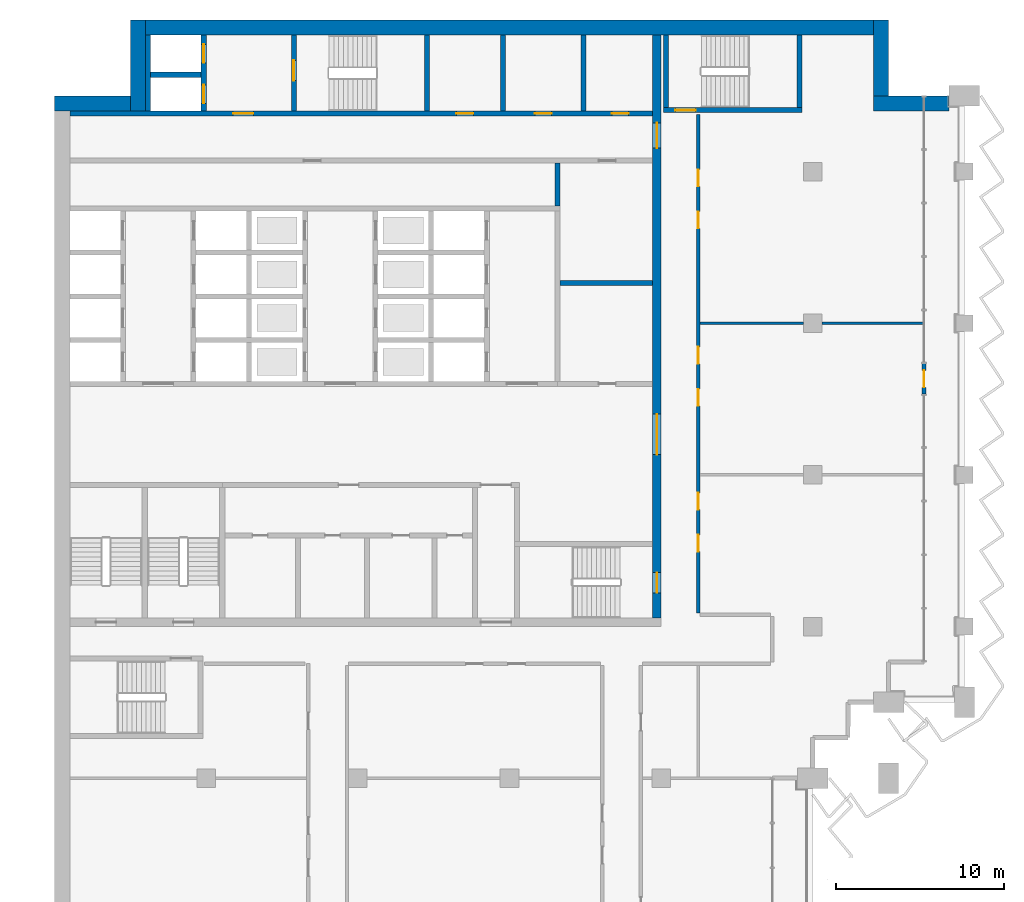
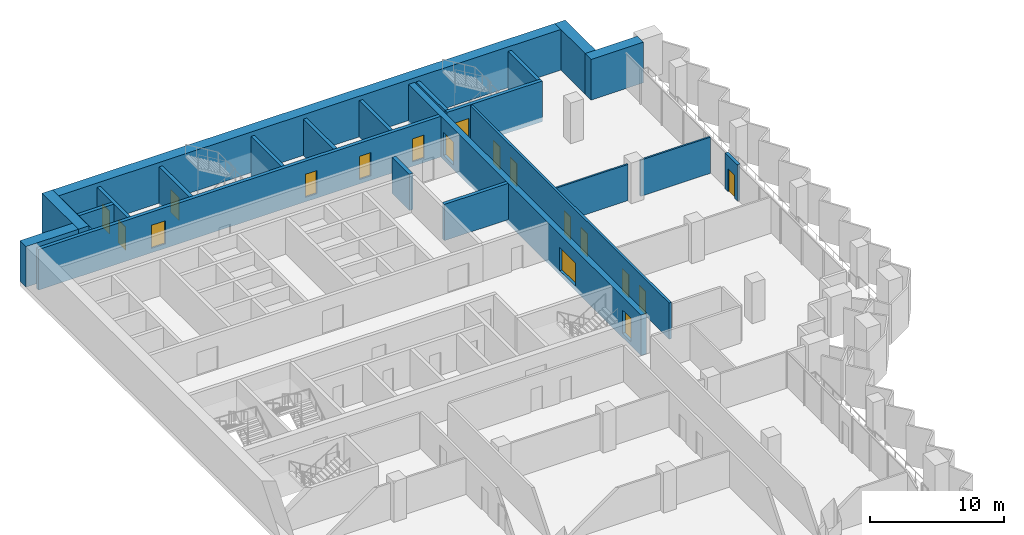
# One storey, part 10 of 18: 23 walls, 18 doors, 18 openings.
"""IFC4 building model written with IfcOpenShell, lengths in metres."""

import ifcopenshell
import ifcopenshell.guid

model = None  # the IFC model being written
_history = None  # IfcOwnerHistory: only IFC2X3 demands one
_inside = {}  # id of a spatial element -> (the spatial element, [elements in it])
_under = {}  # id of a project, library or spatial element -> (it, [spatial elements below it])
_declared = {}  # id of a project -> (the project, [libraries it declares])
_typed = {}  # id of a type object -> (the type object, [elements of that type])
_made_of = {}  # id of a material, layer set ... -> (it, [elements and type objects made of it])


def new_model(schema):
    """Start an empty IFC model of exactly this schema.

    Asked for "IFC4X3", IfcOpenShell would pick the latest addendum, in which some entities
    have other attributes; the version numbers below select the first issue.
    IFC2X3 requires an IfcOwnerHistory on every rooted entity: one is made here for all.
    """
    global model, _history
    if schema == "IFC4X3":
        model = ifcopenshell.file(schema_version=(4, 3, 0, 0))
    else:
        model = ifcopenshell.file(schema=schema)
    _inside.clear()
    _under.clear()
    _declared.clear()
    _typed.clear()
    _made_of.clear()
    _history = None
    if model.schema == "IFC2X3":
        org = make("IfcOrganization", Name="unknown")
        user = make(
            "IfcPersonAndOrganization",
            ThePerson=make("IfcPerson", FamilyName="unknown"),
            TheOrganization=org,
        )
        app = make(
            "IfcApplication",
            ApplicationDeveloper=org,
            Version="unknown",
            ApplicationFullName="unknown",
            ApplicationIdentifier="unknown",
        )
        _history = make(
            "IfcOwnerHistory",
            OwningUser=user,
            OwningApplication=app,
            ChangeAction="ADDED",
            CreationDate=0,
        )
    return model


def make(cls, **values):
    """One entity of the class cls with the attributes given. An attribute that is None is left unset."""
    return model.create_entity(
        cls, **{name: value for name, value in values.items() if value is not None}
    )


def rooted(cls, **values):
    """An entity with a GlobalId (a new one), such as an element, a storey or a relation."""
    return make(cls, GlobalId=ifcopenshell.guid.new(), OwnerHistory=_history, **values)


def si_unit(unit_type, name, prefix=None):
    """IfcSIUnit, for example si_unit("LENGTHUNIT", "METRE", prefix="MILLI")."""
    return make("IfcSIUnit", UnitType=unit_type, Prefix=prefix, Name=name)


def assignment(units):
    """IfcUnitAssignment: the units of a project."""
    return None if units is None else make("IfcUnitAssignment", Units=units)


def point(xyz):
    """IfcCartesianPoint."""
    return None if xyz is None else make("IfcCartesianPoint", Coordinates=xyz)


def direction(xyz):
    """IfcDirection."""
    return None if xyz is None else make("IfcDirection", DirectionRatios=xyz)


def frame(location, z_axis=None, x_axis=None):
    """IfcAxis2Placement3D, a coordinate frame: its origin and axes. An axis left out is left unset."""
    return make(
        "IfcAxis2Placement3D",
        Location=point(location),
        Axis=direction(z_axis),
        RefDirection=direction(x_axis),
    )


def frame_2d(location, x_axis=None):
    """IfcAxis2Placement2D, a coordinate frame in the plane: its origin and x axis."""
    return make(
        "IfcAxis2Placement2D", Location=point(location), RefDirection=direction(x_axis)
    )


def origin():
    """The frame at (0, 0, 0) with its axes left unset."""
    return frame((0.0, 0.0, 0.0))


def place(relative_to, where):
    """IfcLocalPlacement: puts the frame where relative to a parent placement (None: the world)."""
    return make(
        "IfcLocalPlacement", PlacementRelTo=relative_to, RelativePlacement=where
    )


def context(
    kind, dimensions, precision=None, world=None, true_north=None, identifier=None
):
    """IfcGeometricRepresentationContext, for example the 3D "Model" context."""
    return make(
        "IfcGeometricRepresentationContext",
        ContextIdentifier=identifier,
        ContextType=kind,
        CoordinateSpaceDimension=dimensions,
        Precision=precision,
        WorldCoordinateSystem=world,
        TrueNorth=true_north,
    )


def subcontext(parent, identifier, kind, view, scale=None):
    """IfcGeometricRepresentationSubContext, for example "Body" below "Model"."""
    return make(
        "IfcGeometricRepresentationSubContext",
        ContextIdentifier=identifier,
        ContextType=kind,
        ParentContext=parent,
        TargetScale=scale,
        TargetView=view,
    )


def project(units=None, contexts=None):
    """IfcProject with its units and contexts."""
    return rooted(
        "IfcProject",
        Name="project",
        RepresentationContexts=contexts,
        UnitsInContext=assignment(units),
    )


def spatial(cls, under=None, at=None, **own):
    """A site, building, storey or space (cls), placed at a placement, below another one or the project."""
    s = rooted(cls, ObjectPlacement=at, **own)
    if under is not None:
        _under.setdefault(under.id(), (under, []))[1].append(s)
    return s


def profile(cls, at=None, kind="AREA", **sizes):
    """A parametric profile (cls). Its sizes go by their IFC names, for example OverallWidth=200.0."""
    return make(cls, ProfileType=kind, Position=at, **sizes)


def rectangle(**sizes):
    """IfcRectangleProfileDef."""
    return profile("IfcRectangleProfileDef", **sizes)


def extrude(swept, where, along, depth):
    """IfcExtrudedAreaSolid: the profile swept, set in the frame where, extruded along a direction by depth."""
    return make(
        "IfcExtrudedAreaSolid",
        SweptArea=swept,
        Position=where,
        ExtrudedDirection=direction(along),
        Depth=depth,
    )


def shape(context_of_items, identifier, shape_type, items):
    """IfcShapeRepresentation: the items that make up one representation, for example the "Body"."""
    return make(
        "IfcShapeRepresentation",
        ContextOfItems=context_of_items,
        RepresentationIdentifier=identifier,
        RepresentationType=shape_type,
        Items=items,
    )


def material(Name=None, Category=None):
    """IfcMaterial."""
    return make("IfcMaterial", Name=Name, Category=Category)


def layer(
    of_material, thickness, ventilated=None, Name=None, Category=None, Priority=None
):
    """IfcMaterialLayer: one layer of a wall or slab, of a material (None: an air gap)."""
    return make(
        "IfcMaterialLayer",
        Material=of_material,
        LayerThickness=thickness,
        IsVentilated=ventilated,
        Name=Name,
        Category=Category,
        Priority=Priority,
    )


def layer_set(layers, Name=None):
    """IfcMaterialLayerSet."""
    return make("IfcMaterialLayerSet", MaterialLayers=layers, LayerSetName=Name)


def made_of(thing, what):
    """Note that an element or type object is made of a material, layer set ...; save() writes the relation."""
    if what is not None:
        _made_of.setdefault(what.id(), (what, []))[1].append(thing)
    return thing


def type_object(cls, material=None, **own):
    """A type object (cls), such as IfcWallType, which elements share."""
    return made_of(rooted(cls, **own), material)


def element(
    cls,
    number,
    at=None,
    inside=None,
    cuts=None,
    type_object=None,
    material=None,
    context=None,
    identifier="Body",
    shape_type=None,
    held_by="IfcProductDefinitionShape",
    body=None,
    shapes=None,
    **own,
):
    """One element of the class cls, such as IfcWall. Its Tag is "e" and its number.

    at: its placement. inside: the storey or other place that contains it. cuts: it is an
    opening in that element (IfcRelVoidsElement). A single representation is given by context,
    identifier, shape_type and body (its items); several are given by shapes. held_by: the class
    of the entity that holds the representations. save() writes the other relations.
    """
    e = rooted(cls, Tag="e%d" % number, ObjectPlacement=at, **own)
    if body is not None:
        shapes = [shape(context, identifier, shape_type, body)]
    if shapes is not None:
        e.Representation = make(held_by, Representations=shapes)
    if inside is not None:
        _inside.setdefault(inside.id(), (inside, []))[1].append(e)
    if cuts is not None:
        rooted(
            "IfcRelVoidsElement", RelatingBuildingElement=cuts, RelatedOpeningElement=e
        )
    if type_object is not None:
        _typed.setdefault(type_object.id(), (type_object, []))[1].append(e)
    return made_of(e, material)


def fill(opening, filler):
    """IfcRelFillsElement: the door or window that sits in an opening."""
    return rooted(
        "IfcRelFillsElement",
        RelatingOpeningElement=opening,
        RelatedBuildingElement=filler,
    )


def aggregate(whole, parts):
    """IfcRelAggregates: a whole, such as a stair, and the parts it consists of."""
    return rooted("IfcRelAggregates", RelatingObject=whole, RelatedObjects=parts)


def save(model, path):
    """Write the relations noted so far, then the file.

    IfcRelAggregates (storeys below a building ...), IfcRelContainedInSpatialStructure (elements
    in a storey), IfcRelDefinesByType, IfcRelAssociatesMaterial and IfcRelDeclares: one each for
    every whole, place, type object, material and project.
    """
    for whole, parts in _under.values():
        aggregate(whole, parts)
    for where, things in _inside.values():
        rooted(
            "IfcRelContainedInSpatialStructure",
            RelatedElements=things,
            RelatingStructure=where,
        )
    for kind, things in _typed.values():
        rooted("IfcRelDefinesByType", RelatedObjects=things, RelatingType=kind)
    for what, things in _made_of.values():
        rooted("IfcRelAssociatesMaterial", RelatedObjects=things, RelatingMaterial=what)
    for by, libraries in _declared.values():
        rooted("IfcRelDeclares", RelatingContext=by, RelatedDefinitions=libraries)
    model.write(path)


model = new_model("IFC4")

# Units and contexts
model_context = context("Model", 3, precision=1e-05, world=origin(), true_north=direction((0.0, 1.0)))
body_context = subcontext(model_context, "Body", "Model", "MODEL_VIEW")
ifc_project = project(units=[si_unit("LENGTHUNIT", "METRE"), si_unit("AREAUNIT", "SQUARE_METRE"), si_unit("VOLUMEUNIT", "CUBIC_METRE"), si_unit("PLANEANGLEUNIT", "RADIAN"), si_unit("MASSUNIT", "GRAM", prefix="KILO")], contexts=[model_context])

# Site, building, storey
site_placement = place(None, origin())
site = spatial("IfcSite", under=ifc_project, at=site_placement, CompositionType="ELEMENT")
building_placement = place(site_placement, origin())
building = spatial("IfcBuilding", under=site, at=building_placement, Name="Hunhe Ridgeline Campus", CompositionType="ELEMENT")
storey_placement = place(building_placement, frame((0.0, 0.0, 182.800048828125)))
storey = spatial("IfcBuildingStorey", under=building, at=storey_placement, Name="L46", CompositionType="ELEMENT", Elevation=182.800048828125)

# Walls
ifc_material_1 = material(Name="Masonry concrete blockwork", Category="masonry")
ifc_layer_1 = layer(ifc_material_1, 0.300048828125)
ifc_layer_set_1 = layer_set([ifc_layer_1], Name="Core room partition 300 concrete block")
wall_type_1 = type_object("IfcWallType", Name="Core room partition 300 concrete block", PredefinedType="PARTITIONING", material=ifc_layer_set_1)
wall_1_placement = place(storey_placement, frame((30.0, 83.39990234375, 0.0), z_axis=(0.0, 0.0, 1.0), x_axis=(1.0, 0.0, 0.0)))
element("IfcWall", 1, at=wall_1_placement, inside=storey, type_object=wall_type_1, Name="L46 core partition 20", PredefinedType="PARTITIONING", context=body_context, shape_type="SweptSolid", body=[
    extrude(rectangle(XDim=5.5, YDim=0.300048828125, at=frame_2d((2.75, 0.0))), origin(), (0.0, 0.0, 1.0), 3.300048828125),
])
wall_2_placement = place(storey_placement, frame((26.60009765625, 93.60009765625, 0.0), z_axis=(0.0, 0.0, 1.0), x_axis=(0.0, 1.0, 0.0)))
element("IfcWall", 2, at=wall_2_placement, inside=storey, type_object=wall_type_1, Name="L46 core partition 50", PredefinedType="PARTITIONING", context=body_context, shape_type="SweptSolid", body=[
    extrude(rectangle(XDim=4.5, YDim=0.300048828125, at=frame_2d((2.25, 0.0))), origin(), (0.0, 0.0, 1.0), 3.300048828125),
])
wall_3_placement = place(storey_placement, frame((29.85009765625, 87.949951171875, 0.0), z_axis=(0.0, 0.0, 1.0), x_axis=(0.0, 1.0, 0.0)))
element("IfcWall", 3, at=wall_3_placement, inside=storey, type_object=wall_type_1, Name="L46 core partition 54", PredefinedType="PARTITIONING", context=body_context, shape_type="SweptSolid", body=[
    extrude(rectangle(XDim=2.550048828125, YDim=0.300048828125, at=frame_2d((1.27490234375, 0.0))), origin(), (0.0, 0.0, 1.0), 3.300048828125),
])
wall_4_placement = place(storey_placement, frame((31.39990234375, 93.60009765625, 0.0), z_axis=(0.0, 0.0, 1.0), x_axis=(0.0, 1.0, 0.0)))
element("IfcWall", 4, at=wall_4_placement, inside=storey, type_object=wall_type_1, Name="L46 core partition 55", PredefinedType="PARTITIONING", context=body_context, shape_type="SweptSolid", body=[
    extrude(rectangle(XDim=4.5, YDim=0.300048828125, at=frame_2d((2.25, 0.0))), origin(), (0.0, 0.0, 1.0), 3.300048828125),
])

# Wall, openings, doors
ifc_material_2 = material(Name="Concrete C60", Category="concrete")
ifc_layer_2 = layer(ifc_material_2, 0.5)
ifc_layer_set_2 = layer_set([ifc_layer_2], Name="Core wall 500 reinforced concrete C60")
wall_type_2 = type_object("IfcWallType", Name="Core wall 500 reinforced concrete C60", PredefinedType="SOLIDWALL", material=ifc_layer_set_2)
wall_5_placement = place(storey_placement, frame((35.75, 63.5, -0.400146484375), z_axis=(0.0, 0.0, 1.0), x_axis=(0.0, 1.0, 0.0)))
wall_5 = element("IfcWall", 5, at=wall_5_placement, inside=storey, type_object=wall_type_2, Name="L46 core wall 56", PredefinedType="SOLIDWALL", context=body_context, shape_type="SweptSolid", body=[
    extrude(rectangle(XDim=34.60009765625, YDim=0.5, at=frame_2d((17.300048828125, 0.0))), origin(), (0.0, 0.0, 1.0), 3.7001953125),
])
opening_1_placement = place(wall_5_placement, frame((9.699951171875, 0.0, 0.39990234375)))
opening_1 = element("IfcOpeningElement", 6, at=opening_1_placement, cuts=wall_5, Name="Opening CD4", PredefinedType="OPENING", context=body_context, shape_type="SweptSolid", body=[
    extrude(rectangle(XDim=2.39990234375, YDim=2.10009765625, at=frame_2d((1.199951171875, 1.050048828125))), frame((0.0, 0.25, 0.0), z_axis=(0.0, -1.0, 0.0), x_axis=(1.0, 0.0, 0.0)), (0.0, 0.0, 1.0), 0.5),
])
opening_2_placement = place(wall_5_placement, frame((27.89990234375, 0.0, 0.39990234375)))
opening_2 = element("IfcOpeningElement", 7, at=opening_2_placement, cuts=wall_5, Name="Opening CD5", PredefinedType="OPENING", context=body_context, shape_type="SweptSolid", body=[
    extrude(rectangle(XDim=1.5, YDim=2.10009765625, at=frame_2d((0.75, 1.050048828125))), frame((0.0, 0.25, 0.0), z_axis=(0.0, -1.0, 0.0), x_axis=(1.0, 0.0, 0.0)), (0.0, 0.0, 1.0), 0.5),
])
opening_3_placement = place(wall_5_placement, frame((1.5, 0.0, 0.39990234375)))
opening_3 = element("IfcOpeningElement", 8, at=opening_3_placement, cuts=wall_5, Name="Opening CD15", PredefinedType="OPENING", context=body_context, shape_type="SweptSolid", body=[
    extrude(rectangle(XDim=1.199951171875, YDim=2.10009765625, at=frame_2d((0.60009765625, 1.050048828125))), frame((0.0, 0.25, 0.0), z_axis=(0.0, -1.0, 0.0), x_axis=(1.0, 0.0, 0.0)), (0.0, 0.0, 1.0), 0.5),
])
ifc_material_3 = material(Name="Anodised aluminium and glass", Category="aluminium")
door_type_1 = type_object("IfcDoorType", Name="Glazed double door 2400x2100", OperationType="DOUBLE_DOOR_SINGLE_SWING", PredefinedType="DOOR", material=ifc_material_3)
door_1_placement = place(opening_1_placement, frame((2.39990234375, 0.0, 0.0), z_axis=(0.0, 0.0, 1.0), x_axis=(-1.0, 0.0, 0.0)))
door_1 = element("IfcDoor", 9, at=door_1_placement, inside=storey, type_object=door_type_1, Name="L46 door HALL-FLOOR", OperationType="DOUBLE_DOOR_SINGLE_SWING", OverallHeight=2.10009765625, OverallWidth=2.39990234375, PredefinedType="DOOR", context=body_context, shape_type="SweptSolid", body=[
    extrude(rectangle(XDim=2.39990234375, YDim=2.10009765625, at=frame_2d((1.199951171875, 1.050048828125))), frame((0.0, 0.02490234375, 0.0), z_axis=(0.0, -1.0, 0.0), x_axis=(1.0, 0.0, 0.0)), (0.0, 0.0, 1.0), 0.050048828125),
])
fill(opening_1, door_1)
ifc_material_4 = material(Name="Hollow metal fire door leaf")
door_type_2 = type_object("IfcDoorType", Name="Stair door 1200x2100 FD60", OperationType="SINGLE_SWING_LEFT", PredefinedType="DOOR", material=ifc_material_4)
door_2_placement = place(opening_3_placement, frame((1.199951171875, 0.0, 0.0), z_axis=(0.0, 0.0, 1.0), x_axis=(-1.0, 0.0, 0.0)))
door_2 = element("IfcDoor", 10, at=door_2_placement, inside=storey, type_object=door_type_2, Name="L46 door S2-FLOOR", OperationType="SINGLE_SWING_LEFT", OverallHeight=2.10009765625, OverallWidth=1.199951171875, PredefinedType="DOOR", context=body_context, shape_type="SweptSolid", body=[
    extrude(rectangle(XDim=1.199951171875, YDim=2.10009765625, at=frame_2d((0.60009765625, 1.050048828125))), frame((0.0, 0.02490234375, 0.0), z_axis=(0.0, -1.0, 0.0), x_axis=(1.0, 0.0, 0.0)), (0.0, 0.0, 1.0), 0.050048828125),
])
fill(opening_3, door_2)
ifc_material_5 = material(Name="Solid core timber door leaf", Category="wood")
door_type_3 = type_object("IfcDoorType", Name="Timber door 1500x2100", OperationType="SINGLE_SWING_LEFT", PredefinedType="DOOR", material=ifc_material_5)
door_3_placement = place(opening_2_placement, frame((1.5, 0.0, 0.0), z_axis=(0.0, 0.0, 1.0), x_axis=(-1.0, 0.0, 0.0)))
door_3 = element("IfcDoor", 11, at=door_3_placement, inside=storey, type_object=door_type_3, Name="L46 door C1-FLOOR", OperationType="SINGLE_SWING_LEFT", OverallHeight=2.10009765625, OverallWidth=1.5, PredefinedType="DOOR", context=body_context, shape_type="SweptSolid", body=[
    extrude(rectangle(XDim=1.5, YDim=2.10009765625, at=frame_2d((0.75, 1.050048828125))), frame((0.0, 0.02490234375, 0.0), z_axis=(0.0, -1.0, 0.0), x_axis=(1.0, 0.0, 0.0)), (0.0, 0.0, 1.0), 0.050048828125),
])
fill(opening_2, door_3)

ifc_material_6 = material(Name="Gypsum board partition")
ifc_layer_3 = layer(ifc_material_6, 0.199951171875)
ifc_layer_set_3 = layer_set([ifc_layer_3], Name="Corridor partition 200 gypsum board on steel studs")
wall_type_3 = type_object("IfcWallType", Name="Corridor partition 200 gypsum board on steel studs", PredefinedType="PARTITIONING", material=ifc_layer_set_3)
wall_6_placement = place(storey_placement, frame((38.199951171875, 93.39599609375, 0.0), z_axis=(0.0, 0.0, 1.0), x_axis=(0.0, -1.0, 0.0)))
wall_6 = element("IfcWall", 12, at=wall_6_placement, inside=storey, type_object=wall_type_3, Name="F-L46-wall-047", PredefinedType="PARTITIONING", context=body_context, shape_type="SweptSolid", body=[
    extrude(rectangle(XDim=29.595947265625, YDim=0.199951171875, at=frame_2d((14.7978515625, 0.0))), origin(), (0.0, 0.0, 1.0), 3.300048828125),
])
opening_4_placement = place(wall_6_placement, frame((24.95751953125, 0.0, 0.0)))
opening_4 = element("IfcOpeningElement", 13, at=opening_4_placement, cuts=wall_6, Name="Opening RD1-022", PredefinedType="OPENING", context=body_context, shape_type="SweptSolid", body=[
    extrude(rectangle(XDim=1.0, YDim=2.10009765625, at=frame_2d((0.5, 1.050048828125))), frame((0.0, 0.10009765625, 0.0), z_axis=(0.0, -1.0, 0.0), x_axis=(1.0, 0.0, 0.0)), (0.0, 0.0, 1.0), 0.199951171875),
])
opening_5_placement = place(wall_6_placement, frame((22.45751953125, 0.0, 0.0)))
opening_5 = element("IfcOpeningElement", 14, at=opening_5_placement, cuts=wall_6, Name="Opening RD1-023", PredefinedType="OPENING", context=body_context, shape_type="SweptSolid", body=[
    extrude(rectangle(XDim=1.0, YDim=2.10009765625, at=frame_2d((0.5, 1.050048828125))), frame((0.0, 0.10009765625, 0.0), z_axis=(0.0, -1.0, 0.0), x_axis=(1.0, 0.0, 0.0)), (0.0, 0.0, 1.0), 0.199951171875),
])
opening_6_placement = place(wall_6_placement, frame((16.304443359375, 0.0, 0.0)))
opening_6 = element("IfcOpeningElement", 15, at=opening_6_placement, cuts=wall_6, Name="Opening RD1-024", PredefinedType="OPENING", context=body_context, shape_type="SweptSolid", body=[
    extrude(rectangle(XDim=1.0, YDim=2.10009765625, at=frame_2d((0.5, 1.050048828125))), frame((0.0, 0.10009765625, 0.0), z_axis=(0.0, -1.0, 0.0), x_axis=(1.0, 0.0, 0.0)), (0.0, 0.0, 1.0), 0.199951171875),
])
opening_7_placement = place(wall_6_placement, frame((13.804443359375, 0.0, 0.0)))
opening_7 = element("IfcOpeningElement", 16, at=opening_7_placement, cuts=wall_6, Name="Opening RD1-025", PredefinedType="OPENING", context=body_context, shape_type="SweptSolid", body=[
    extrude(rectangle(XDim=1.0, YDim=2.10009765625, at=frame_2d((0.5, 1.050048828125))), frame((0.0, 0.10009765625, 0.0), z_axis=(0.0, -1.0, 0.0), x_axis=(1.0, 0.0, 0.0)), (0.0, 0.0, 1.0), 0.199951171875),
])
opening_8_placement = place(wall_6_placement, frame((5.770263671875, 0.0, 0.0)))
opening_8 = element("IfcOpeningElement", 17, at=opening_8_placement, cuts=wall_6, Name="Opening RD1-026", PredefinedType="OPENING", context=body_context, shape_type="SweptSolid", body=[
    extrude(rectangle(XDim=1.0, YDim=2.10009765625, at=frame_2d((0.5, 1.050048828125))), frame((0.0, 0.10009765625, 0.0), z_axis=(0.0, -1.0, 0.0), x_axis=(1.0, 0.0, 0.0)), (0.0, 0.0, 1.0), 0.199951171875),
])
opening_9_placement = place(wall_6_placement, frame((3.270263671875, 0.0, 0.0)))
opening_9 = element("IfcOpeningElement", 18, at=opening_9_placement, cuts=wall_6, Name="Opening RD1-027", PredefinedType="OPENING", context=body_context, shape_type="SweptSolid", body=[
    extrude(rectangle(XDim=1.0, YDim=2.10009765625, at=frame_2d((0.5, 1.050048828125))), frame((0.0, 0.10009765625, 0.0), z_axis=(0.0, -1.0, 0.0), x_axis=(1.0, 0.0, 0.0)), (0.0, 0.0, 1.0), 0.199951171875),
])
ifc_material_7 = material(Name="Timber door leaf", Category="wood")
door_type_4 = type_object("IfcDoorType", Name="Single fire door 1000x2100 timber FD60", OperationType="NOTDEFINED", PredefinedType="DOOR", material=ifc_material_7)
door_4_placement = place(opening_4_placement, frame((1.0, 0.0, 0.0), z_axis=(0.0, 0.0, 1.0), x_axis=(-1.0, 0.0, 0.0)))
door_4 = element("IfcDoor", 19, at=door_4_placement, inside=storey, type_object=door_type_4, Name="F-L46-door-022", OperationType="SINGLE_SWING_LEFT", OverallHeight=2.10009765625, OverallWidth=1.0, PredefinedType="DOOR", context=body_context, shape_type="SweptSolid", body=[
    extrude(rectangle(XDim=1.0, YDim=2.10009765625, at=frame_2d((0.5, 1.050048828125))), frame((0.0, 0.02490234375, 0.0), z_axis=(0.0, -1.0, 0.0), x_axis=(1.0, 0.0, 0.0)), (0.0, 0.0, 1.0), 0.050048828125),
])
fill(opening_4, door_4)
door_5_placement = place(opening_5_placement, frame((1.0, 0.0, 0.0), z_axis=(0.0, 0.0, 1.0), x_axis=(-1.0, 0.0, 0.0)))
door_5 = element("IfcDoor", 20, at=door_5_placement, inside=storey, type_object=door_type_4, Name="F-L46-door-023", OperationType="SINGLE_SWING_RIGHT", OverallHeight=2.10009765625, OverallWidth=1.0, PredefinedType="DOOR", context=body_context, shape_type="SweptSolid", body=[
    extrude(rectangle(XDim=1.0, YDim=2.10009765625, at=frame_2d((0.5, 1.050048828125))), frame((0.0, 0.02490234375, 0.0), z_axis=(0.0, -1.0, 0.0), x_axis=(1.0, 0.0, 0.0)), (0.0, 0.0, 1.0), 0.050048828125),
])
fill(opening_5, door_5)
door_6_placement = place(opening_6_placement, frame((1.0, 0.0, 0.0), z_axis=(0.0, 0.0, 1.0), x_axis=(-1.0, 0.0, 0.0)))
door_6 = element("IfcDoor", 21, at=door_6_placement, inside=storey, type_object=door_type_4, Name="F-L46-door-024", OperationType="SINGLE_SWING_RIGHT", OverallHeight=2.10009765625, OverallWidth=1.0, PredefinedType="DOOR", context=body_context, shape_type="SweptSolid", body=[
    extrude(rectangle(XDim=1.0, YDim=2.10009765625, at=frame_2d((0.5, 1.050048828125))), frame((0.0, 0.02490234375, 0.0), z_axis=(0.0, -1.0, 0.0), x_axis=(1.0, 0.0, 0.0)), (0.0, 0.0, 1.0), 0.050048828125),
])
fill(opening_6, door_6)
door_7_placement = place(opening_7_placement, frame((1.0, 0.0, 0.0), z_axis=(0.0, 0.0, 1.0), x_axis=(-1.0, 0.0, 0.0)))
door_7 = element("IfcDoor", 22, at=door_7_placement, inside=storey, type_object=door_type_4, Name="F-L46-door-025", OperationType="SINGLE_SWING_RIGHT", OverallHeight=2.10009765625, OverallWidth=1.0, PredefinedType="DOOR", context=body_context, shape_type="SweptSolid", body=[
    extrude(rectangle(XDim=1.0, YDim=2.10009765625, at=frame_2d((0.5, 1.050048828125))), frame((0.0, 0.02490234375, 0.0), z_axis=(0.0, -1.0, 0.0), x_axis=(1.0, 0.0, 0.0)), (0.0, 0.0, 1.0), 0.050048828125),
])
fill(opening_7, door_7)
door_8_placement = place(opening_8_placement, frame((1.0, 0.0, 0.0), z_axis=(0.0, 0.0, 1.0), x_axis=(-1.0, 0.0, 0.0)))
door_8 = element("IfcDoor", 23, at=door_8_placement, inside=storey, type_object=door_type_4, Name="F-L46-door-026", OperationType="SINGLE_SWING_RIGHT", OverallHeight=2.10009765625, OverallWidth=1.0, PredefinedType="DOOR", context=body_context, shape_type="SweptSolid", body=[
    extrude(rectangle(XDim=1.0, YDim=2.10009765625, at=frame_2d((0.5, 1.050048828125))), frame((0.0, 0.02490234375, 0.0), z_axis=(0.0, -1.0, 0.0), x_axis=(1.0, 0.0, 0.0)), (0.0, 0.0, 1.0), 0.050048828125),
])
fill(opening_8, door_8)
door_9_placement = place(opening_9_placement, frame((1.0, 0.0, 0.0), z_axis=(0.0, 0.0, 1.0), x_axis=(-1.0, 0.0, 0.0)))
door_9 = element("IfcDoor", 24, at=door_9_placement, inside=storey, type_object=door_type_4, Name="F-L46-door-027", OperationType="SINGLE_SWING_RIGHT", OverallHeight=2.10009765625, OverallWidth=1.0, PredefinedType="DOOR", context=body_context, shape_type="SweptSolid", body=[
    extrude(rectangle(XDim=1.0, YDim=2.10009765625, at=frame_2d((0.5, 1.050048828125))), frame((0.0, 0.02490234375, 0.0), z_axis=(0.0, -1.0, 0.0), x_axis=(1.0, 0.0, 0.0)), (0.0, 0.0, 1.0), 0.050048828125),
])
fill(opening_9, door_9)

# Wall, opening, door
ifc_material_8 = material(Name="Concrete C30", Category="concrete")
ifc_layer_4 = layer(ifc_material_8, 0.25)
ifc_layer_set_4 = layer_set([ifc_layer_4], Name="Loggia door pier wall 250 Concrete C30")
wall_type_4 = type_object("IfcWallType", Name="Loggia door pier wall 250 Concrete C30", PredefinedType="SOLIDWALL", material=ifc_layer_set_4)
wall_7_placement = place(storey_placement, frame((51.59912109375, 76.800537109375, 0.0), z_axis=(0.0, 0.0, 1.0), x_axis=(0.0, 1.0, 0.0)))
wall_7 = element("IfcWall", 25, at=wall_7_placement, inside=storey, type_object=wall_type_4, Name="Loggia door pier 6", PredefinedType="SOLIDWALL", context=body_context, shape_type="SweptSolid", body=[
    extrude(rectangle(XDim=1.800048828125, YDim=0.25, at=frame_2d((0.89990234375, 0.0))), origin(), (0.0, 0.0, 1.0), 3.300048828125),
])
opening_10_placement = place(wall_7_placement, frame((0.39990234375, 0.0, 0.0)))
opening_10 = element("IfcOpeningElement", 26, at=opening_10_placement, cuts=wall_7, Name="Opening BD406", PredefinedType="OPENING", context=body_context, shape_type="SweptSolid", body=[
    extrude(rectangle(XDim=1.0, YDim=2.10009765625, at=frame_2d((0.5, 1.050048828125))), frame((0.0, 0.125, 0.0), z_axis=(0.0, -1.0, 0.0), x_axis=(1.0, 0.0, 0.0)), (0.0, 0.0, 1.0), 0.25),
])
ifc_material_9 = material(Name="Aluminium 6063", Category="aluminium")
door_type_5 = type_object("IfcDoorType", Name="Loggia glazed door 1000x2100", OperationType="NOTDEFINED", PredefinedType="DOOR", material=ifc_material_9)
door_10_placement = place(opening_10_placement, frame((1.0, 0.0, 0.0), z_axis=(0.0, 0.0, 1.0), x_axis=(-1.0, 0.0, 0.0)))
door_10 = element("IfcDoor", 27, at=door_10_placement, inside=storey, type_object=door_type_5, Name="Loggia door BD406", OperationType="SINGLE_SWING_LEFT", OverallHeight=2.10009765625, OverallWidth=1.0, PredefinedType="DOOR", context=body_context, shape_type="SweptSolid", body=[
    extrude(rectangle(XDim=1.0, YDim=2.10009765625, at=frame_2d((0.5, 1.050048828125))), frame((0.0, 0.02490234375, 0.0), z_axis=(0.0, -1.0, 0.0), x_axis=(1.0, 0.0, 0.0)), (0.0, 0.0, 1.0), 0.050048828125),
])
fill(opening_10, door_10)

# Walls
ifc_layer_5 = layer(ifc_material_6, 0.14990234375)
ifc_layer_set_5 = layer_set([ifc_layer_5], Name="Room partition 150 gypsum board on steel studs")
wall_type_5 = type_object("IfcWallType", Name="Room partition 150 gypsum board on steel studs", PredefinedType="PARTITIONING", material=ifc_layer_set_5)
wall_8_placement = place(storey_placement, frame((38.300048828125, 81.0, 0.0), z_axis=(0.0, 0.0, 1.0), x_axis=(1.0, 0.0, 0.0)))
element("IfcWall", 28, at=wall_8_placement, inside=storey, type_object=wall_type_5, Name="F-L46-wall-033", PredefinedType="PARTITIONING", context=body_context, shape_type="SweptSolid", body=[
    extrude(rectangle(XDim=6.14990234375, YDim=0.14990234375, at=frame_2d((3.074951171875, 0.0))), origin(), (0.0, 0.0, 1.0), 3.300048828125),
])
wall_9_placement = place(storey_placement, frame((45.550048828125, 81.0, 0.0), z_axis=(0.0, 0.0, 1.0), x_axis=(1.0, 0.0, 0.0)))
element("IfcWall", 29, at=wall_9_placement, inside=storey, type_object=wall_type_5, Name="F-L46-wall-034", PredefinedType="PARTITIONING", context=body_context, shape_type="SweptSolid", body=[
    extrude(rectangle(XDim=5.994873046875, YDim=0.14990234375, at=frame_2d((2.99755859375, 0.0))), origin(), (0.0, 0.0, 1.0), 3.300048828125),
])

# Wall, openings, doors
ifc_layer_6 = layer(ifc_material_2, 0.300048828125)
ifc_layer_set_6 = layer_set([ifc_layer_6], Name="Shaft wall 300 reinforced concrete C60")
wall_type_6 = type_object("IfcWallType", Name="Shaft wall 300 reinforced concrete C60", PredefinedType="SOLIDWALL", material=ifc_layer_set_6)
wall_10_placement = place(storey_placement, frame((0.89990234375, 93.449951171875, -0.400146484375), z_axis=(0.0, 0.0, 1.0), x_axis=(1.0, 0.0, 0.0)))
wall_10 = element("IfcWall", 30, at=wall_10_placement, inside=storey, type_object=wall_type_6, Name="L46 core wall 26", PredefinedType="SOLIDWALL", context=body_context, shape_type="SweptSolid", body=[
    extrude(rectangle(XDim=34.60009765625, YDim=0.300048828125, at=frame_2d((17.300048828125, 0.0))), origin(), (0.0, 0.0, 1.0), 3.7001953125),
])
opening_11_placement = place(wall_10_placement, frame((9.699951171875, 0.0, 0.39990234375)))
opening_11 = element("IfcOpeningElement", 31, at=opening_11_placement, cuts=wall_10, Name="Opening CD3", PredefinedType="OPENING", context=body_context, shape_type="SweptSolid", body=[
    extrude(rectangle(XDim=1.199951171875, YDim=2.10009765625, at=frame_2d((0.60009765625, 1.050048828125))), frame((0.0, 0.14990234375, 0.0), z_axis=(0.0, -1.0, 0.0), x_axis=(1.0, 0.0, 0.0)), (0.0, 0.0, 1.0), 0.300048828125),
])
opening_12_placement = place(wall_10_placement, frame((22.949951171875, 0.0, 0.39990234375)))
opening_12 = element("IfcOpeningElement", 32, at=opening_12_placement, cuts=wall_10, Name="Opening CD34", PredefinedType="OPENING", context=body_context, shape_type="SweptSolid", body=[
    extrude(rectangle(XDim=1.0, YDim=2.10009765625, at=frame_2d((0.5, 1.050048828125))), frame((0.0, 0.14990234375, 0.0), z_axis=(0.0, -1.0, 0.0), x_axis=(1.0, 0.0, 0.0)), (0.0, 0.0, 1.0), 0.300048828125),
])
opening_13_placement = place(wall_10_placement, frame((27.60009765625, 0.0, 0.39990234375)))
opening_13 = element("IfcOpeningElement", 33, at=opening_13_placement, cuts=wall_10, Name="Opening CD35", PredefinedType="OPENING", context=body_context, shape_type="SweptSolid", body=[
    extrude(rectangle(XDim=1.0, YDim=2.10009765625, at=frame_2d((0.5, 1.050048828125))), frame((0.0, 0.14990234375, 0.0), z_axis=(0.0, -1.0, 0.0), x_axis=(1.0, 0.0, 0.0)), (0.0, 0.0, 1.0), 0.300048828125),
])
opening_14_placement = place(wall_10_placement, frame((32.175048828125, 0.0, 0.39990234375)))
opening_14 = element("IfcOpeningElement", 34, at=opening_14_placement, cuts=wall_10, Name="Opening CD36", PredefinedType="OPENING", context=body_context, shape_type="SweptSolid", body=[
    extrude(rectangle(XDim=1.0, YDim=2.10009765625, at=frame_2d((0.5, 1.050048828125))), frame((0.0, 0.14990234375, 0.0), z_axis=(0.0, -1.0, 0.0), x_axis=(1.0, 0.0, 0.0)), (0.0, 0.0, 1.0), 0.300048828125),
])
door_type_6 = type_object("IfcDoorType", Name="Lobby door 1200x2100 FD60", OperationType="SINGLE_SWING_LEFT", PredefinedType="DOOR", material=ifc_material_4)
door_11_placement = place(opening_11_placement, frame((1.199951171875, 0.0, 0.0), z_axis=(0.0, 0.0, 1.0), x_axis=(-1.0, 0.0, 0.0)))
door_11 = element("IfcDoor", 35, at=door_11_placement, inside=storey, type_object=door_type_6, Name="L46 door FF-C1", OperationType="SINGLE_SWING_RIGHT", OverallHeight=2.10009765625, OverallWidth=1.199951171875, PredefinedType="DOOR", context=body_context, shape_type="SweptSolid", body=[
    extrude(rectangle(XDim=1.199951171875, YDim=2.10009765625, at=frame_2d((0.60009765625, 1.050048828125))), frame((0.0, 0.02490234375, 0.0), z_axis=(0.0, -1.0, 0.0), x_axis=(1.0, 0.0, 0.0)), (0.0, 0.0, 1.0), 0.050048828125),
])
fill(opening_11, door_11)
door_type_7 = type_object("IfcDoorType", Name="Timber door 1000x2100", OperationType="SINGLE_SWING_LEFT", PredefinedType="DOOR", material=ifc_material_5)
door_12_placement = place(opening_12_placement, origin())
door_12 = element("IfcDoor", 36, at=door_12_placement, inside=storey, type_object=door_type_7, Name="L46 door NB0", OperationType="SINGLE_SWING_RIGHT", OverallHeight=2.10009765625, OverallWidth=1.0, PredefinedType="DOOR", context=body_context, shape_type="SweptSolid", body=[
    extrude(rectangle(XDim=1.0, YDim=2.10009765625, at=frame_2d((0.5, 1.050048828125))), frame((0.0, 0.02490234375, 0.0), z_axis=(0.0, -1.0, 0.0), x_axis=(1.0, 0.0, 0.0)), (0.0, 0.0, 1.0), 0.050048828125),
])
fill(opening_12, door_12)
door_13_placement = place(opening_13_placement, origin())
door_13 = element("IfcDoor", 37, at=door_13_placement, inside=storey, type_object=door_type_7, Name="L46 door NB1", OperationType="SINGLE_SWING_LEFT", OverallHeight=2.10009765625, OverallWidth=1.0, PredefinedType="DOOR", context=body_context, shape_type="SweptSolid", body=[
    extrude(rectangle(XDim=1.0, YDim=2.10009765625, at=frame_2d((0.5, 1.050048828125))), frame((0.0, 0.02490234375, 0.0), z_axis=(0.0, -1.0, 0.0), x_axis=(1.0, 0.0, 0.0)), (0.0, 0.0, 1.0), 0.050048828125),
])
fill(opening_13, door_13)
door_14_placement = place(opening_14_placement, origin())
door_14 = element("IfcDoor", 38, at=door_14_placement, inside=storey, type_object=door_type_7, Name="L46 door NB2", OperationType="SINGLE_SWING_RIGHT", OverallHeight=2.10009765625, OverallWidth=1.0, PredefinedType="DOOR", context=body_context, shape_type="SweptSolid", body=[
    extrude(rectangle(XDim=1.0, YDim=2.10009765625, at=frame_2d((0.5, 1.050048828125))), frame((0.0, 0.02490234375, 0.0), z_axis=(0.0, -1.0, 0.0), x_axis=(1.0, 0.0, 0.0)), (0.0, 0.0, 1.0), 0.050048828125),
])
fill(opening_14, door_14)

# Walls
wall_11_placement = place(storey_placement, frame((5.699951171875, 95.75, -0.400146484375), z_axis=(0.0, 0.0, 1.0), x_axis=(1.0, 0.0, 0.0)))
element("IfcWall", 39, at=wall_11_placement, inside=storey, type_object=wall_type_6, Name="L46 core wall 28", PredefinedType="SOLIDWALL", context=body_context, shape_type="SweptSolid", body=[
    extrude(rectangle(XDim=3.0, YDim=0.300048828125, at=frame_2d((1.5, 0.0))), origin(), (0.0, 0.0, 1.0), 3.7001953125),
])
wall_12_placement = place(storey_placement, frame((5.550048828125, 93.60009765625, -0.400146484375), z_axis=(0.0, 0.0, 1.0), x_axis=(0.0, 1.0, 0.0)))
element("IfcWall", 40, at=wall_12_placement, inside=storey, type_object=wall_type_6, Name="L46 core wall 31", PredefinedType="SOLIDWALL", context=body_context, shape_type="SweptSolid", body=[
    extrude(rectangle(XDim=4.5, YDim=0.300048828125, at=frame_2d((2.25, 0.0))), origin(), (0.0, 0.0, 1.0), 3.7001953125),
])

# Wall, openings, doors
wall_13_placement = place(storey_placement, frame((8.85009765625, 93.60009765625, -0.400146484375), z_axis=(0.0, 0.0, 1.0), x_axis=(0.0, 1.0, 0.0)))
wall_13 = element("IfcWall", 41, at=wall_13_placement, inside=storey, type_object=wall_type_6, Name="L46 core wall 35", PredefinedType="SOLIDWALL", context=body_context, shape_type="SweptSolid", body=[
    extrude(rectangle(XDim=4.5, YDim=0.300048828125, at=frame_2d((2.25, 0.0))), origin(), (0.0, 0.0, 1.0), 3.7001953125),
])
opening_15_placement = place(wall_13_placement, frame((0.449951171875, 0.0, 0.39990234375)))
opening_15 = element("IfcOpeningElement", 42, at=opening_15_placement, cuts=wall_13, Name="Opening LD-FF1", PredefinedType="OPENING", context=body_context, shape_type="SweptSolid", body=[
    extrude(rectangle(XDim=1.10009765625, YDim=2.10009765625, at=frame_2d((0.550048828125, 1.050048828125))), frame((0.0, 0.14990234375, 0.0), z_axis=(0.0, -1.0, 0.0), x_axis=(1.0, 0.0, 0.0)), (0.0, 0.0, 1.0), 0.300048828125),
])
opening_16_placement = place(wall_13_placement, frame((2.85009765625, 0.0, 0.39990234375)))
opening_16 = element("IfcOpeningElement", 43, at=opening_16_placement, cuts=wall_13, Name="Opening LD-FF2", PredefinedType="OPENING", context=body_context, shape_type="SweptSolid", body=[
    extrude(rectangle(XDim=1.10009765625, YDim=2.10009765625, at=frame_2d((0.550048828125, 1.050048828125))), frame((0.0, 0.14990234375, 0.0), z_axis=(0.0, -1.0, 0.0), x_axis=(1.0, 0.0, 0.0)), (0.0, 0.0, 1.0), 0.300048828125),
])
ifc_material_10 = material(Name="Stainless steel sliding leaves", Category="steel")
door_type_8 = type_object("IfcDoorType", Name="Landing door 1100x2100 FD120", OperationType="SLIDING_TO_LEFT", PredefinedType="DOOR", material=ifc_material_10)
door_15_placement = place(opening_15_placement, origin())
door_15 = element("IfcDoor", 44, at=door_15_placement, inside=storey, type_object=door_type_8, Name="L46 landing door FF1", OperationType="SLIDING_TO_RIGHT", OverallHeight=2.10009765625, OverallWidth=1.10009765625, PredefinedType="DOOR", context=body_context, shape_type="SweptSolid", body=[
    extrude(rectangle(XDim=1.10009765625, YDim=2.10009765625, at=frame_2d((0.550048828125, 1.050048828125))), frame((0.0, 0.02490234375, 0.0), z_axis=(0.0, -1.0, 0.0), x_axis=(1.0, 0.0, 0.0)), (0.0, 0.0, 1.0), 0.050048828125),
])
fill(opening_15, door_15)
door_16_placement = place(opening_16_placement, origin())
door_16 = element("IfcDoor", 45, at=door_16_placement, inside=storey, type_object=door_type_8, Name="L46 landing door FF2", OperationType="SLIDING_TO_LEFT", OverallHeight=2.10009765625, OverallWidth=1.10009765625, PredefinedType="DOOR", context=body_context, shape_type="SweptSolid", body=[
    extrude(rectangle(XDim=1.10009765625, YDim=2.10009765625, at=frame_2d((0.550048828125, 1.050048828125))), frame((0.0, 0.02490234375, 0.0), z_axis=(0.0, -1.0, 0.0), x_axis=(1.0, 0.0, 0.0)), (0.0, 0.0, 1.0), 0.050048828125),
])
fill(opening_16, door_16)

# Walls
ifc_layer_7 = layer(ifc_material_2, 0.89990234375)
ifc_layer_set_7 = layer_set([ifc_layer_7], Name="Spine wall 900 Concrete C60")
wall_type_7 = type_object("IfcWallType", Name="Spine wall 900 Concrete C60", PredefinedType="SHEAR", material=ifc_layer_set_7)
wall_14_placement = place(storey_placement, frame((53.10009765625, 94.050048828125, 0.0), z_axis=(0.0, 0.0, 1.0), x_axis=(-1.0, 0.0, 0.0)))
element("IfcWall", 46, at=wall_14_placement, inside=storey, type_object=wall_type_7, Name="Spine wall SW3-2 L46", PredefinedType="SHEAR", context=body_context, shape_type="SweptSolid", body=[
    extrude(rectangle(XDim=4.5, YDim=0.89990234375, at=frame_2d((2.25, 0.0))), origin(), (0.0, 0.0, 1.0), 3.699951171875),
])
wall_15_placement = place(storey_placement, frame((49.050048828125, 93.60009765625, 0.0), z_axis=(0.0, 0.0, 1.0), x_axis=(0.0, 1.0, 0.0)))
element("IfcWall", 47, at=wall_15_placement, inside=storey, type_object=wall_type_7, Name="Spine wall SW3-3 L46", PredefinedType="SHEAR", context=body_context, shape_type="SweptSolid", body=[
    extrude(rectangle(XDim=5.39990234375, YDim=0.89990234375, at=frame_2d((2.699951171875, 0.0))), origin(), (0.0, 0.0, 1.0), 3.699951171875),
])
wall_16_placement = place(storey_placement, frame((49.5, 98.550048828125, 0.0), z_axis=(0.0, 0.0, 1.0), x_axis=(-1.0, 0.0, 0.0)))
element("IfcWall", 48, at=wall_16_placement, inside=storey, type_object=wall_type_7, Name="Spine wall SW3-4 L46", PredefinedType="SHEAR", context=body_context, shape_type="SweptSolid", body=[
    extrude(rectangle(XDim=45.0, YDim=0.89990234375, at=frame_2d((22.5, 0.0))), origin(), (0.0, 0.0, 1.0), 3.699951171875),
])
for number, where, z_axis, x_axis, name in (
    (49, (4.949951171875, 99.0, 0.0), (0.0, 0.0, 1.0), (0.0, -1.0, 0.0), "Spine wall SW3-5 L46"),
    (50, (5.400146484375, 94.050048828125, 0.0), (0.0, 0.0, 1.0), (-1.0, 0.0, 0.0), "Spine wall SW3-6 L46"),
):
    element("IfcWall", number, at=place(storey_placement, frame(where, z_axis=z_axis, x_axis=x_axis)), inside=storey, type_object=wall_type_7, Name=name, PredefinedType="SHEAR", context=body_context, shape_type="SweptSolid", body=[
        extrude(rectangle(XDim=5.400146484375, YDim=0.89990234375, at=frame_2d((2.7001953125, 0.0))), origin(), (0.0, 0.0, 1.0), 3.699951171875),
    ])

# Wall, opening, door
ifc_layer_8 = layer(ifc_material_2, 0.300048828125)
ifc_layer_set_8 = layer_set([ifc_layer_8], Name="Stair wall 300 reinforced concrete C60")
wall_type_8 = type_object("IfcWallType", Name="Stair wall 300 reinforced concrete C60", PredefinedType="SOLIDWALL", material=ifc_layer_set_8)
wall_17_placement = place(storey_placement, frame((36.14990234375, 93.64990234375, -0.400146484375), z_axis=(0.0, 0.0, 1.0), x_axis=(1.0, 0.0, 0.0)))
wall_17 = element("IfcWall", 51, at=wall_17_placement, inside=storey, type_object=wall_type_8, Name="L46 core wall 27", PredefinedType="SOLIDWALL", context=body_context, shape_type="SweptSolid", body=[
    extrude(rectangle(XDim=8.2001953125, YDim=0.300048828125, at=frame_2d((4.10009765625, 0.0))), origin(), (0.0, 0.0, 1.0), 3.7001953125),
])
opening_17_placement = place(wall_17_placement, frame((0.699951171875, 0.0, 0.39990234375)))
opening_17 = element("IfcOpeningElement", 52, at=opening_17_placement, cuts=wall_17, Name="Opening CD17", PredefinedType="OPENING", context=body_context, shape_type="SweptSolid", body=[
    extrude(rectangle(XDim=1.199951171875, YDim=2.10009765625, at=frame_2d((0.60009765625, 1.050048828125))), frame((0.0, 0.14990234375, 0.0), z_axis=(0.0, -1.0, 0.0), x_axis=(1.0, 0.0, 0.0)), (0.0, 0.0, 1.0), 0.300048828125),
])
door_17_placement = place(opening_17_placement, frame((1.199951171875, 0.0, 0.0), z_axis=(0.0, 0.0, 1.0), x_axis=(-1.0, 0.0, 0.0)))
door_17 = element("IfcDoor", 53, at=door_17_placement, inside=storey, type_object=door_type_2, Name="L46 door E1", OperationType="SINGLE_SWING_LEFT", OverallHeight=2.10009765625, OverallWidth=1.199951171875, PredefinedType="DOOR", context=body_context, shape_type="SweptSolid", body=[
    extrude(rectangle(XDim=1.199951171875, YDim=2.10009765625, at=frame_2d((0.60009765625, 1.050048828125))), frame((0.0, 0.02490234375, 0.0), z_axis=(0.0, -1.0, 0.0), x_axis=(1.0, 0.0, 0.0)), (0.0, 0.0, 1.0), 0.050048828125),
])
fill(opening_17, door_17)

wall_18_placement = place(storey_placement, frame((14.199951171875, 93.60009765625, -0.400146484375), z_axis=(0.0, 0.0, 1.0), x_axis=(0.0, 1.0, 0.0)))
wall_18 = element("IfcWall", 54, at=wall_18_placement, inside=storey, type_object=wall_type_8, Name="L46 core wall 38", PredefinedType="SOLIDWALL", context=body_context, shape_type="SweptSolid", body=[
    extrude(rectangle(XDim=4.5, YDim=0.300048828125, at=frame_2d((2.25, 0.0))), origin(), (0.0, 0.0, 1.0), 3.7001953125),
])
opening_18_placement = place(wall_18_placement, frame((1.800048828125, 0.0, 0.39990234375)))
opening_18 = element("IfcOpeningElement", 55, at=opening_18_placement, cuts=wall_18, Name="Opening CD16", PredefinedType="OPENING", context=body_context, shape_type="SweptSolid", body=[
    extrude(rectangle(XDim=1.199951171875, YDim=2.10009765625, at=frame_2d((0.60009765625, 1.050048828125))), frame((0.0, 0.14990234375, 0.0), z_axis=(0.0, -1.0, 0.0), x_axis=(1.0, 0.0, 0.0)), (0.0, 0.0, 1.0), 0.300048828125),
])
door_18_placement = place(opening_18_placement, origin())
door_18 = element("IfcDoor", 56, at=door_18_placement, inside=storey, type_object=door_type_2, Name="L46 door S1-FF", OperationType="SINGLE_SWING_RIGHT", OverallHeight=2.10009765625, OverallWidth=1.199951171875, PredefinedType="DOOR", context=body_context, shape_type="SweptSolid", body=[
    extrude(rectangle(XDim=1.199951171875, YDim=2.10009765625, at=frame_2d((0.60009765625, 1.050048828125))), frame((0.0, 0.02490234375, 0.0), z_axis=(0.0, -1.0, 0.0), x_axis=(1.0, 0.0, 0.0)), (0.0, 0.0, 1.0), 0.050048828125),
])
fill(opening_18, door_18)

# Walls
wall_19_placement = place(storey_placement, frame((22.10009765625, 93.60009765625, -0.400146484375), z_axis=(0.0, 0.0, 1.0), x_axis=(0.0, 1.0, 0.0)))
element("IfcWall", 57, at=wall_19_placement, inside=storey, type_object=wall_type_8, Name="L46 core wall 44", PredefinedType="SOLIDWALL", context=body_context, shape_type="SweptSolid", body=[
    extrude(rectangle(XDim=4.5, YDim=0.300048828125, at=frame_2d((2.25, 0.0))), origin(), (0.0, 0.0, 1.0), 3.7001953125),
])
for number, where, z_axis, x_axis, name in (
    (58, (36.300048828125, 93.800048828125, -0.400146484375), (0.0, 0.0, 1.0), (0.0, 1.0, 0.0), "L46 core wall 57"),
    (59, (44.199951171875, 93.800048828125, -0.400146484375), (0.0, 0.0, 1.0), (0.0, 1.0, 0.0), "L46 core wall 58"),
):
    element("IfcWall", number, at=place(storey_placement, frame(where, z_axis=z_axis, x_axis=x_axis)), inside=storey, type_object=wall_type_8, Name=name, PredefinedType="SOLIDWALL", context=body_context, shape_type="SweptSolid", body=[
        extrude(rectangle(XDim=4.300048828125, YDim=0.300048828125, at=frame_2d((2.14990234375, 0.0))), origin(), (0.0, 0.0, 1.0), 3.7001953125),
    ])

save(model, "model.ifc")
